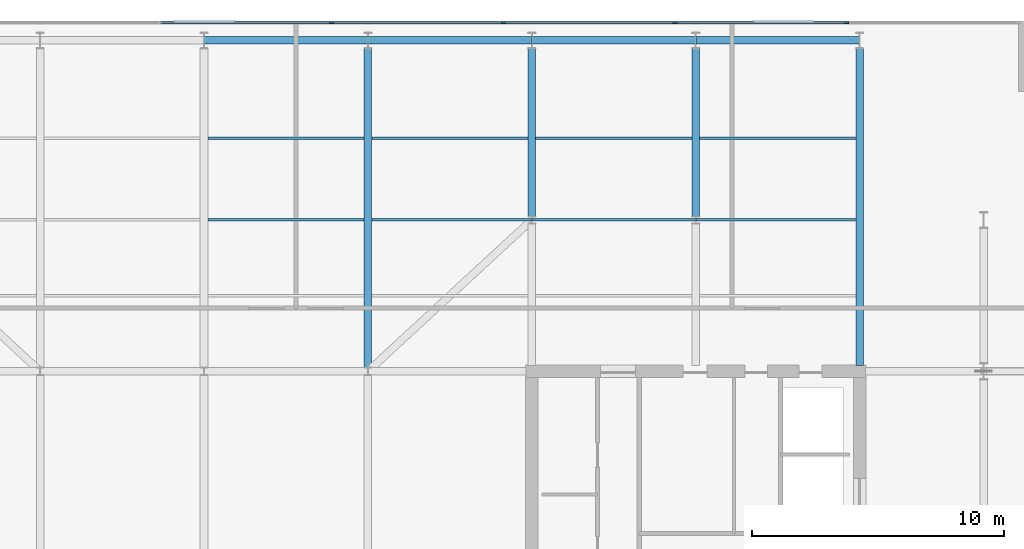
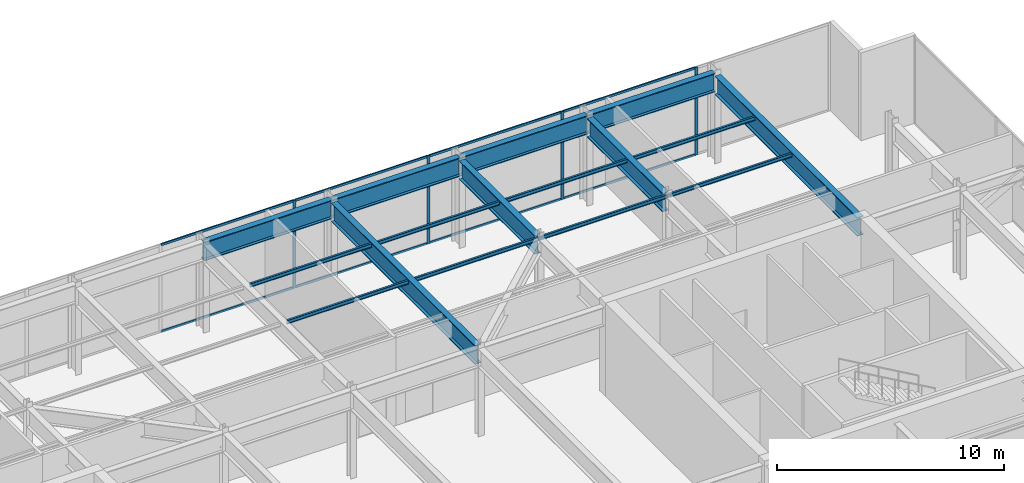
# One storey, part 12 of 23: 16 beams, 12 members, 1 element without a shape of its own.
"""IFC4 building model written with IfcOpenShell, lengths in metres."""

from ifc_helpers import new_model, si_unit, direction, frame, origin, origin_2d, place, context, subcontext, project, spatial, rectangle, i_section, extrude, material, layer, layer_set, material_profile, profile_set, type_object, element, aggregate, save


model = new_model("IFC4")

# Units and contexts
model_context = context("Model", 3, precision=1e-05, world=origin(), true_north=direction((0.0, 1.0)))
body_context = subcontext(model_context, "Body", "Model", "MODEL_VIEW")
ifc_project = project(units=[si_unit("LENGTHUNIT", "METRE"), si_unit("AREAUNIT", "SQUARE_METRE"), si_unit("VOLUMEUNIT", "CUBIC_METRE"), si_unit("PLANEANGLEUNIT", "RADIAN"), si_unit("MASSUNIT", "GRAM", prefix="KILO")], contexts=[model_context])

# Site, building, storey
site_placement = place(None, origin())
site = spatial("IfcSite", under=ifc_project, at=site_placement, CompositionType="ELEMENT")
building_placement = place(site_placement, origin())
building = spatial("IfcBuilding", under=site, at=building_placement, Name="Putna Gate Headquarters", CompositionType="ELEMENT")
storey_placement = place(building_placement, frame((0.0, 0.0, 310.39990234375)))
storey = spatial("IfcBuildingStorey", under=building, at=storey_placement, Name="L78", CompositionType="ELEMENT", Elevation=310.39990234375)

# Beams
ifc_material_1 = material(Name="Steel S355J2", Category="steel")
ifc_material_profile_1 = material_profile(ifc_material_1, i_section(OverallWidth=0.10009765625, OverallDepth=0.199951171875, WebThickness=0.005615234375, FlangeThickness=0.008544921875, at=origin_2d()), Name="Steel S355J2")
ifc_profile_set_1 = profile_set([ifc_material_profile_1], Name="Steel S355J2")
beam_type_1 = type_object("IfcBeamType", Name="BM-SEC-PLT-IPE200", PredefinedType="JOIST", material=ifc_profile_set_1)
for number, where, z_axis, x_axis, name in (
    (1, (39.155029296875, 39.0, 4.6201171875), (1.0, 0.0, 0.0), (0.0, 1.0, 0.0), "L78 North Secondary Beam 5"),
    (2, (39.155029296875, 42.25, 4.6201171875), (1.0, 0.0, 0.0), (0.0, 1.0, 0.0), "L78 North Secondary Beam 5"),
):
    element("IfcBeam", number, at=place(storey_placement, frame(where, z_axis=z_axis, x_axis=x_axis)), inside=storey, type_object=beam_type_1, Name=name, PredefinedType="JOIST", context=body_context, shape_type="SweptSolid", body=[
        extrude(i_section(OverallWidth=0.10009765625, OverallDepth=0.199951171875, WebThickness=0.005615234375, FlangeThickness=0.008544921875, at=origin_2d()), origin(), (0.0, 0.0, 1.0), 6.18994140625),
    ])
beam_1_placement = place(storey_placement, frame((45.655029296875, 39.0, 4.6201171875), z_axis=(1.0, 0.0, 0.0), x_axis=(0.0, 1.0, 0.0)))
element("IfcBeam", 3, at=beam_1_placement, inside=storey, type_object=beam_type_1, Name="L78 North Secondary Beam 6", PredefinedType="JOIST", context=body_context, shape_type="SweptSolid", body=[
    extrude(i_section(OverallWidth=0.10009765625, OverallDepth=0.199951171875, WebThickness=0.005615234375, FlangeThickness=0.008544921875, at=origin_2d()), origin(), (0.0, 0.0, 1.0), 6.3388671875),
])
beam_2_placement = place(storey_placement, frame((45.655029296875, 42.25, 4.6201171875), z_axis=(1.0, 0.0, 0.0), x_axis=(0.0, 1.0, 0.0)))
element("IfcBeam", 4, at=beam_2_placement, inside=storey, type_object=beam_type_1, Name="L78 North Secondary Beam 6", PredefinedType="JOIST", context=body_context, shape_type="SweptSolid", body=[
    extrude(i_section(OverallWidth=0.10009765625, OverallDepth=0.199951171875, WebThickness=0.005615234375, FlangeThickness=0.008544921875, at=origin_2d()), origin(), (0.0, 0.0, 1.0), 6.18994140625),
])
beam_3_placement = place(storey_placement, frame((52.006103515625, 39.0, 4.6201171875), z_axis=(1.0, 0.0, 0.0), x_axis=(0.0, 1.0, 0.0)))
element("IfcBeam", 5, at=beam_3_placement, inside=storey, type_object=beam_type_1, Name="L78 North Secondary Beam 7", PredefinedType="JOIST", context=body_context, shape_type="SweptSolid", body=[
    extrude(i_section(OverallWidth=0.10009765625, OverallDepth=0.199951171875, WebThickness=0.005615234375, FlangeThickness=0.008544921875, at=origin_2d()), origin(), (0.0, 0.0, 1.0), 6.48779296875),
])
beam_4_placement = place(storey_placement, frame((52.155029296875, 42.25, 4.6201171875), z_axis=(1.0, 0.0, 0.0), x_axis=(0.0, 1.0, 0.0)))
element("IfcBeam", 6, at=beam_4_placement, inside=storey, type_object=beam_type_1, Name="L78 North Secondary Beam 7", PredefinedType="JOIST", context=body_context, shape_type="SweptSolid", body=[
    extrude(i_section(OverallWidth=0.10009765625, OverallDepth=0.199951171875, WebThickness=0.005615234375, FlangeThickness=0.008544921875, at=origin_2d()), origin(), (0.0, 0.0, 1.0), 6.18994140625),
])
beam_5_placement = place(storey_placement, frame((58.506103515625, 39.0, 4.6201171875), z_axis=(1.0, 0.0, 0.0), x_axis=(0.0, 1.0, 0.0)))
element("IfcBeam", 7, at=beam_5_placement, inside=storey, type_object=beam_type_1, Name="L78 North Secondary Beam 8", PredefinedType="JOIST", context=body_context, shape_type="SweptSolid", body=[
    extrude(i_section(OverallWidth=0.10009765625, OverallDepth=0.199951171875, WebThickness=0.005615234375, FlangeThickness=0.008544921875, at=origin_2d()), origin(), (0.0, 0.0, 1.0), 6.3388671875),
])
beam_6_placement = place(storey_placement, frame((58.655029296875, 42.25, 4.6201171875), z_axis=(1.0, 0.0, 0.0), x_axis=(0.0, 1.0, 0.0)))
element("IfcBeam", 8, at=beam_6_placement, inside=storey, type_object=beam_type_1, Name="L78 North Secondary Beam 8", PredefinedType="JOIST", context=body_context, shape_type="SweptSolid", body=[
    extrude(i_section(OverallWidth=0.10009765625, OverallDepth=0.199951171875, WebThickness=0.005615234375, FlangeThickness=0.008544921875, at=origin_2d()), origin(), (0.0, 0.0, 1.0), 6.18994140625),
])
ifc_material_2 = material(Name="Steel S460M", Category="steel")
ifc_material_profile_2 = material_profile(ifc_material_2, i_section(OverallWidth=0.302001953125, OverallDepth=1.008056640625, WebThickness=0.02099609375, FlangeThickness=0.0400390625, at=origin_2d()), Name="Steel S460M")
ifc_profile_set_2 = profile_set([ifc_material_profile_2], Name="Steel S460M")
beam_type_2 = type_object("IfcBeamType", Name="BM-TG-HEM1000", PredefinedType="USERDEFINED", material=ifc_profile_set_2)
beam_7_placement = place(storey_placement, frame((45.5, 33.137939453125, 4.216064453125), z_axis=(0.0, 1.0, 0.0), x_axis=(-1.0, 0.0, 0.0)))
element("IfcBeam", 9, at=beam_7_placement, inside=storey, type_object=beam_type_2, Name="L78 North Primary Girder X45", ObjectType="GIRDER", PredefinedType="USERDEFINED", context=body_context, shape_type="SweptSolid", body=[
    extrude(i_section(OverallWidth=0.302001953125, OverallDepth=1.008056640625, WebThickness=0.02099609375, FlangeThickness=0.0400390625, at=origin_2d()), origin(), (0.0, 0.0, 1.0), 12.66015625),
])
for number, where, z_axis, x_axis, name in (
    (10, (52.0, 39.137939453125, 4.216064453125), (0.0, 1.0, 0.0), (-1.0, 0.0, 0.0), "L78 North Primary Girder X52-2"),
    (11, (58.5, 39.137939453125, 4.216064453125), (0.0, 1.0, 0.0), (-1.0, 0.0, 0.0), "L78 North Primary Girder X58-2"),
):
    element("IfcBeam", number, at=place(storey_placement, frame(where, z_axis=z_axis, x_axis=x_axis)), inside=storey, type_object=beam_type_2, Name=name, ObjectType="GIRDER", PredefinedType="USERDEFINED", context=body_context, shape_type="SweptSolid", body=[
        extrude(i_section(OverallWidth=0.302001953125, OverallDepth=1.008056640625, WebThickness=0.02099609375, FlangeThickness=0.0400390625, at=origin_2d()), origin(), (0.0, 0.0, 1.0), 6.66015625),
    ])
beam_8_placement = place(storey_placement, frame((65.0, 33.235107421875, 4.216064453125), z_axis=(0.0, 1.0, 0.0), x_axis=(-1.0, 0.0, 0.0)))
element("IfcBeam", 12, at=beam_8_placement, inside=storey, type_object=beam_type_2, Name="L78 North Primary Girder X65", ObjectType="GIRDER", PredefinedType="USERDEFINED", context=body_context, shape_type="SweptSolid", body=[
    extrude(i_section(OverallWidth=0.302001953125, OverallDepth=1.008056640625, WebThickness=0.02099609375, FlangeThickness=0.0400390625, at=origin_2d()), origin(), (0.0, 0.0, 1.0), 12.56298828125),
])
ifc_material_profile_3 = material_profile(ifc_material_2, i_section(OverallWidth=0.302001953125, OverallDepth=1.008056640625, WebThickness=0.02099609375, FlangeThickness=0.0400390625, at=origin_2d()), Name="Steel S460M")
ifc_profile_set_3 = profile_set([ifc_material_profile_3], Name="Steel S460M")
beam_type_3 = type_object("IfcBeamType", Name="BM-TG-HEM1000-EXT", PredefinedType="USERDEFINED", material=ifc_profile_set_3)
for number, where, z_axis, x_axis, name in (
    (13, (39.006103515625, 46.1201171875, 4.216064453125), (1.0, 0.0, 0.0), (0.0, 1.0, 0.0), "L78 N Perimeter Spandrel 5"),
    (14, (45.506103515625, 46.1201171875, 4.216064453125), (1.0, 0.0, 0.0), (0.0, 1.0, 0.0), "L78 N Perimeter Spandrel 6"),
    (15, (52.006103515625, 46.1201171875, 4.216064453125), (1.0, 0.0, 0.0), (0.0, 1.0, 0.0), "L78 N Perimeter Spandrel 7"),
    (16, (58.506103515625, 46.1201171875, 4.216064453125), (1.0, 0.0, 0.0), (0.0, 1.0, 0.0), "L78 N Perimeter Spandrel 8"),
):
    element("IfcBeam", number, at=place(storey_placement, frame(where, z_axis=z_axis, x_axis=x_axis)), inside=storey, type_object=beam_type_3, Name=name, ObjectType="GIRDER", PredefinedType="USERDEFINED", context=body_context, shape_type="SweptSolid", body=[
        extrude(i_section(OverallWidth=0.302001953125, OverallDepth=1.008056640625, WebThickness=0.02099609375, FlangeThickness=0.0400390625, at=origin_2d()), origin(), (0.0, 0.0, 1.0), 6.48779296875),
    ])

# Curtain wall, members
ifc_material_3 = material(Name="Anodised bronze aluminium curtain wall", Category="aluminium")
ifc_layer = layer(ifc_material_3, 0.159912109375)
ifc_layer_set = layer_set([ifc_layer], Name="Anodised bronze aluminium curtain wall")
curtain_wall_type = type_object("IfcCurtainWallType", Name="CW-SYS-CRN", PredefinedType="USERDEFINED", material=ifc_layer_set)
curtain_wall_placement = place(storey_placement, origin())
curtain_wall = element("IfcCurtainWall", 17, at=curtain_wall_placement, inside=storey, type_object=curtain_wall_type, Name="L78 Acoustic Louvre North Enclosure", ObjectType="STICK CURTAIN WALL", PredefinedType="USERDEFINED")
ifc_material_4 = material(Name="Anodised bronze aluminium EN AW-6060", Category="aluminium")
ifc_material_profile_4 = material_profile(ifc_material_4, rectangle(XDim=0.06494140625, YDim=0.159912109375, at=origin_2d()), Name="Anodised bronze aluminium EN AW-6060")
ifc_profile_set_4 = profile_set([ifc_material_profile_4], Name="Anodised bronze aluminium EN AW-6060")
member_type_1 = type_object("IfcMemberType", Name="MULL-CWM-CR", PredefinedType="MULLION", material=ifc_profile_set_4)
member_1_placement = place(storey_placement, frame((44.0556640625, 46.820068359375, 0.0), z_axis=(0.0, 0.0, 1.0), x_axis=(0.0, 1.0, 0.0)))
member_1 = element("IfcMember", 18, at=member_1_placement, type_object=member_type_1, Name="CWS-CR mullion 6", PredefinedType="MULLION", context=body_context, shape_type="SweptSolid", body=[
    extrude(rectangle(XDim=0.06494140625, YDim=0.159912109375, at=origin_2d()), origin(), (0.0, 0.0, 1.0), 4.72021484375),
])
member_2_placement = place(storey_placement, frame((50.86669921875, 46.820068359375, 0.0), z_axis=(0.0, 0.0, 1.0), x_axis=(0.0, 1.0, 0.0)))
member_2 = element("IfcMember", 19, at=member_2_placement, type_object=member_type_1, Name="CWS-CR mullion 7", PredefinedType="MULLION", context=body_context, shape_type="SweptSolid", body=[
    extrude(rectangle(XDim=0.06494140625, YDim=0.159912109375, at=origin_2d()), origin(), (0.0, 0.0, 1.0), 4.72021484375),
])
member_3_placement = place(storey_placement, frame((57.677734375, 46.820068359375, 0.0), z_axis=(0.0, 0.0, 1.0), x_axis=(0.0, 1.0, 0.0)))
member_3 = element("IfcMember", 20, at=member_3_placement, type_object=member_type_1, Name="CWS-CR mullion 8", PredefinedType="MULLION", context=body_context, shape_type="SweptSolid", body=[
    extrude(rectangle(XDim=0.06494140625, YDim=0.159912109375, at=origin_2d()), origin(), (0.0, 0.0, 1.0), 4.72021484375),
])
member_4_placement = place(storey_placement, frame((64.48876953125, 46.820068359375, 0.0), z_axis=(0.0, 0.0, 1.0), x_axis=(0.0, 1.0, 0.0)))
member_4 = element("IfcMember", 21, at=member_4_placement, type_object=member_type_1, Name="CWS-CR mullion 9", PredefinedType="MULLION", context=body_context, shape_type="SweptSolid", body=[
    extrude(rectangle(XDim=0.06494140625, YDim=0.159912109375, at=origin_2d()), origin(), (0.0, 0.0, 1.0), 4.72021484375),
])
ifc_material_profile_5 = material_profile(ifc_material_4, rectangle(XDim=0.06494140625, YDim=0.1201171875, at=origin_2d()), Name="Anodised bronze aluminium EN AW-6060")
ifc_profile_set_5 = profile_set([ifc_material_profile_5], Name="Anodised bronze aluminium EN AW-6060")
member_type_2 = type_object("IfcMemberType", Name="TRAN-CWT-CR", PredefinedType="USERDEFINED", material=ifc_profile_set_5)
member_5_placement = place(storey_placement, frame((37.27685546875, 46.820068359375, 0.03271484375), z_axis=(1.0, 0.0, 0.0), x_axis=(0.0, 1.0, 0.0)))
member_5 = element("IfcMember", 22, at=member_5_placement, type_object=member_type_2, Name="CWS-CR transom 5.1", ObjectType="TRANSOM", PredefinedType="USERDEFINED", context=body_context, shape_type="SweptSolid", body=[
    extrude(rectangle(XDim=0.06494140625, YDim=0.1201171875, at=origin_2d()), origin(), (0.0, 0.0, 1.0), 6.74609375),
])
member_6_placement = place(storey_placement, frame((37.27685546875, 46.820068359375, 4.6875), z_axis=(1.0, 0.0, 0.0), x_axis=(0.0, 1.0, 0.0)))
member_6 = element("IfcMember", 23, at=member_6_placement, type_object=member_type_2, Name="CWS-CR transom 5.2", ObjectType="TRANSOM", PredefinedType="USERDEFINED", context=body_context, shape_type="SweptSolid", body=[
    extrude(rectangle(XDim=0.06494140625, YDim=0.1201171875, at=origin_2d()), origin(), (0.0, 0.0, 1.0), 6.74609375),
])
member_7_placement = place(storey_placement, frame((44.088134765625, 46.820068359375, 0.03271484375), z_axis=(1.0, 0.0, 0.0), x_axis=(0.0, 1.0, 0.0)))
member_7 = element("IfcMember", 24, at=member_7_placement, type_object=member_type_2, Name="CWS-CR transom 6.1", ObjectType="TRANSOM", PredefinedType="USERDEFINED", context=body_context, shape_type="SweptSolid", body=[
    extrude(rectangle(XDim=0.06494140625, YDim=0.1201171875, at=origin_2d()), origin(), (0.0, 0.0, 1.0), 6.74609375),
])
member_8_placement = place(storey_placement, frame((44.088134765625, 46.820068359375, 4.6875), z_axis=(1.0, 0.0, 0.0), x_axis=(0.0, 1.0, 0.0)))
member_8 = element("IfcMember", 25, at=member_8_placement, type_object=member_type_2, Name="CWS-CR transom 6.2", ObjectType="TRANSOM", PredefinedType="USERDEFINED", context=body_context, shape_type="SweptSolid", body=[
    extrude(rectangle(XDim=0.06494140625, YDim=0.1201171875, at=origin_2d()), origin(), (0.0, 0.0, 1.0), 6.74609375),
])
member_9_placement = place(storey_placement, frame((50.899169921875, 46.820068359375, 0.03271484375), z_axis=(1.0, 0.0, 0.0), x_axis=(0.0, 1.0, 0.0)))
member_9 = element("IfcMember", 26, at=member_9_placement, type_object=member_type_2, Name="CWS-CR transom 7.1", ObjectType="TRANSOM", PredefinedType="USERDEFINED", context=body_context, shape_type="SweptSolid", body=[
    extrude(rectangle(XDim=0.06494140625, YDim=0.1201171875, at=origin_2d()), origin(), (0.0, 0.0, 1.0), 6.74609375),
])
member_10_placement = place(storey_placement, frame((50.899169921875, 46.820068359375, 4.6875), z_axis=(1.0, 0.0, 0.0), x_axis=(0.0, 1.0, 0.0)))
member_10 = element("IfcMember", 27, at=member_10_placement, type_object=member_type_2, Name="CWS-CR transom 7.2", ObjectType="TRANSOM", PredefinedType="USERDEFINED", context=body_context, shape_type="SweptSolid", body=[
    extrude(rectangle(XDim=0.06494140625, YDim=0.1201171875, at=origin_2d()), origin(), (0.0, 0.0, 1.0), 6.74609375),
])
member_11_placement = place(storey_placement, frame((57.710205078125, 46.820068359375, 0.03271484375), z_axis=(1.0, 0.0, 0.0), x_axis=(0.0, 1.0, 0.0)))
member_11 = element("IfcMember", 28, at=member_11_placement, type_object=member_type_2, Name="CWS-CR transom 8.1", ObjectType="TRANSOM", PredefinedType="USERDEFINED", context=body_context, shape_type="SweptSolid", body=[
    extrude(rectangle(XDim=0.06494140625, YDim=0.1201171875, at=origin_2d()), origin(), (0.0, 0.0, 1.0), 6.74609375),
])
member_12_placement = place(storey_placement, frame((57.710205078125, 46.820068359375, 4.6875), z_axis=(1.0, 0.0, 0.0), x_axis=(0.0, 1.0, 0.0)))
member_12 = element("IfcMember", 29, at=member_12_placement, type_object=member_type_2, Name="CWS-CR transom 8.2", ObjectType="TRANSOM", PredefinedType="USERDEFINED", context=body_context, shape_type="SweptSolid", body=[
    extrude(rectangle(XDim=0.06494140625, YDim=0.1201171875, at=origin_2d()), origin(), (0.0, 0.0, 1.0), 6.74609375),
])
aggregate(curtain_wall, [member_1, member_2, member_3, member_4, member_5, member_6, member_7, member_8, member_9, member_10, member_11, member_12])

save(model, "model.ifc")
